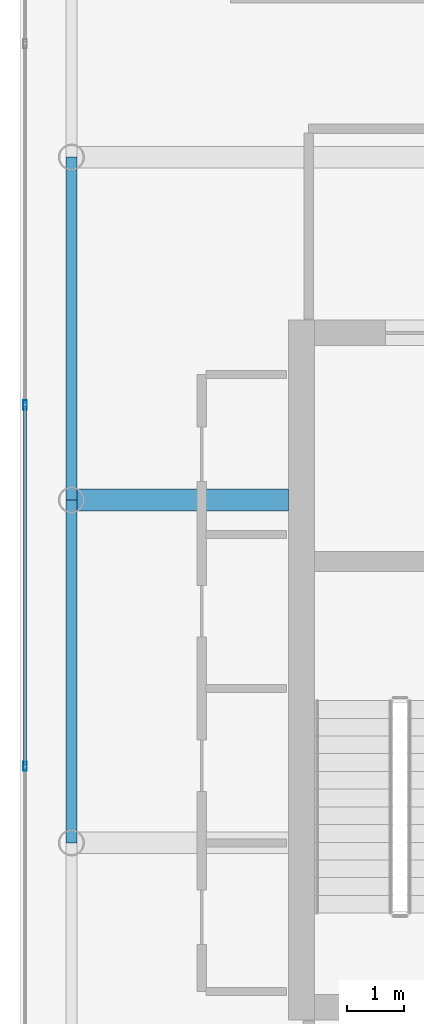
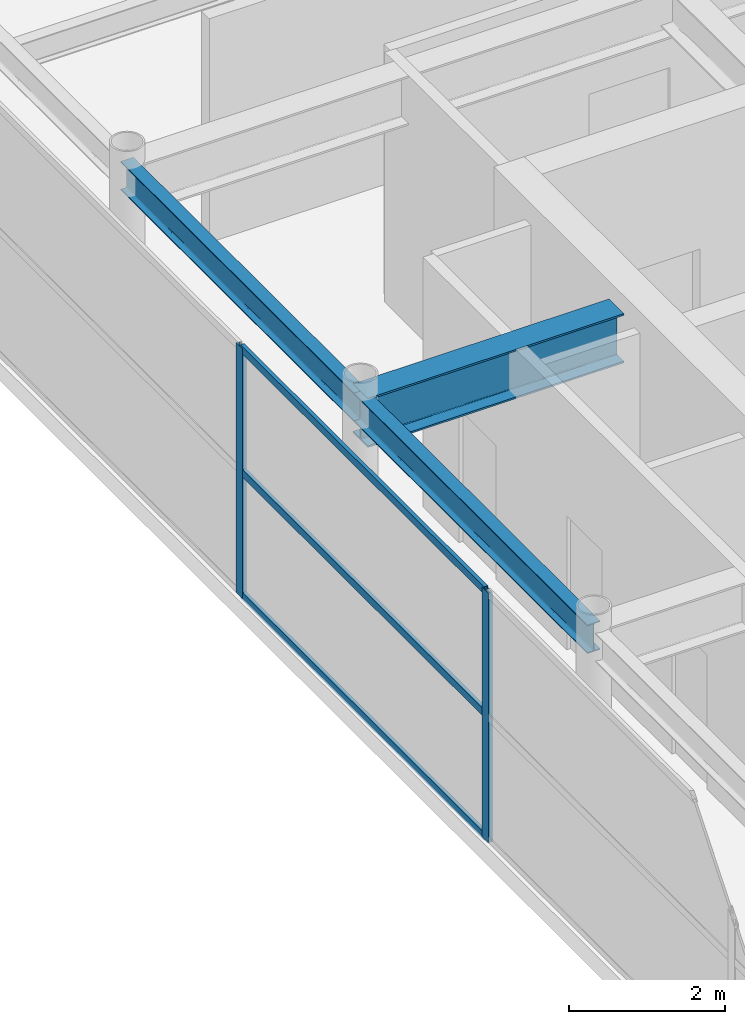
# One storey, part 11 of 33: 5 members, 3 beams, 1 element without a shape of its own.
"""IFC4 building model written with IfcOpenShell, lengths in metres."""

from ifc_helpers import new_model, si_unit, direction, frame, origin, origin_2d, place, context, subcontext, project, spatial, hollow_rectangle, i_section, extrude, source, transform, mapped, material, layer, layer_set, material_profile, profile_set, type_object, element, aggregate, save


model = new_model("IFC4")

# Units and contexts
model_context = context("Model", 3, precision=1e-05, world=origin(), true_north=direction((0.0, 1.0)))
body_context = subcontext(model_context, "Body", "Model", "MODEL_VIEW")
ifc_project = project(units=[si_unit("LENGTHUNIT", "METRE"), si_unit("AREAUNIT", "SQUARE_METRE"), si_unit("VOLUMEUNIT", "CUBIC_METRE"), si_unit("PLANEANGLEUNIT", "RADIAN"), si_unit("MASSUNIT", "GRAM", prefix="KILO")], contexts=[model_context])

# Site, building, storey
site_placement = place(None, origin())
site = spatial("IfcSite", under=ifc_project, at=site_placement, CompositionType="ELEMENT")
building_placement = place(site_placement, origin())
building = spatial("IfcBuilding", under=site, at=building_placement, Name="Khoralis Quay Care Tower", CompositionType="ELEMENT")
storey_placement = place(building_placement, frame((0.0, 0.0, 302.10009765625)))
storey = spatial("IfcBuildingStorey", under=building, at=storey_placement, Name="L79", CompositionType="ELEMENT", Elevation=302.10009765625)

# Beams
ifc_material_1 = material(Name="Steel S355", Category="steel")
ifc_material_profile_1 = material_profile(ifc_material_1, i_section(OverallWidth=0.18994140625, OverallDepth=0.449951171875, WebThickness=0.009521484375, FlangeThickness=0.0146484375, FilletRadius=0.02099609375, at=origin_2d()), Name="Steel S355")
ifc_profile_set_1 = profile_set([ifc_material_profile_1], Name="Steel S355")
beam_type_1 = type_object("IfcBeamType", Name="BM-IPE450", PredefinedType="SPANDREL", material=ifc_profile_set_1)
shared_shape_1 = source(origin(), body_context, "Body", "SweptSolid", [
    extrude(i_section(OverallWidth=0.18994140625, OverallDepth=0.449951171875, WebThickness=0.009521484375, FlangeThickness=0.0146484375, FilletRadius=0.02099609375, at=origin_2d()), origin(), (0.0, 0.0, 1.0), 6.0),
])
for number, where, z_axis, x_axis, name in (
    (1, (3.89990234375, 18.0, 3.69482421875), (0.0, 1.0, 0.0), (-1.0, 0.0, 0.0), "BM-TSP-L79-10"),
    (2, (3.89990234375, 24.0, 3.69482421875), (0.0, 1.0, 0.0), (-1.0, 0.0, 0.0), "BM-TSP-L79-11"),
):
    element("IfcBeam", number, at=place(storey_placement, frame(where, z_axis=z_axis, x_axis=x_axis)), inside=storey, type_object=beam_type_1, Name=name, PredefinedType="SPANDREL", context=body_context, shape_type="MappedRepresentation", body=[
        mapped(shared_shape_1, transform((0.0, 0.0, 0.0), scale=1.0)),
    ])
ifc_material_profile_2 = material_profile(ifc_material_1, i_section(OverallWidth=0.381103515625, OverallDepth=0.77294921875, WebThickness=0.0166015625, FlangeThickness=0.027587890625, FilletRadius=0.02197265625, at=origin_2d()), Name="Steel S355")
ifc_profile_set_2 = profile_set([ifc_material_profile_2], Name="Steel S355")
beam_type_2 = type_object("IfcBeamType", Name="BM-W760X257", PredefinedType="BEAM", material=ifc_profile_set_2)
shared_shape_2 = source(origin(), body_context, "Body", "SweptSolid", [
    extrude(i_section(OverallWidth=0.381103515625, OverallDepth=0.77294921875, WebThickness=0.0166015625, FlangeThickness=0.027587890625, FilletRadius=0.02197265625, at=origin_2d()), origin(), (0.0, 0.0, 1.0), 3.802001953125),
])
beam_placement = place(storey_placement, frame((3.89990234375, 24.0, 3.533447265625), z_axis=(1.0, 0.0, 0.0), x_axis=(0.0, 1.0, 0.0)))
element("IfcBeam", 3, at=beam_placement, inside=storey, type_object=beam_type_2, Name="BM-TGXW-L79-240", PredefinedType="BEAM", context=body_context, shape_type="MappedRepresentation", body=[
    mapped(shared_shape_2, transform((0.0, 0.0, 0.0), scale=1.0)),
])

# Curtain wall, members
ifc_material_2 = material(Name="Pale anodised aluminium", Category="aluminium")
ifc_layer = layer(ifc_material_2, 0.199951171875)
ifc_layer_set = layer_set([ifc_layer], Name="Pale anodised aluminium")
curtain_wall_type = type_object("IfcCurtainWallType", Name="CW-SYS-LANTERN", PredefinedType="NOTDEFINED", material=ifc_layer_set)
curtain_wall_placement = place(storey_placement, origin())
curtain_wall = element("IfcCurtainWall", 4, at=curtain_wall_placement, inside=storey, type_object=curtain_wall_type, Name="L79 Unitised Curtain Wall CW-LN-L79-16", PredefinedType="NOTDEFINED")
ifc_material_profile_3 = material_profile(ifc_material_2, hollow_rectangle(XDim=0.054931640625, YDim=0.1201171875, WallThickness=0.00390625, at=origin_2d()), Name="Pale anodised aluminium")
ifc_profile_set_3 = profile_set([ifc_material_profile_3], Name="Pale anodised aluminium")
member_type_1 = type_object("IfcMemberType", Name="CW-TRN-120", PredefinedType="USERDEFINED", material=ifc_profile_set_3)
shared_shape_3 = source(origin(), body_context, "Body", "SweptSolid", [
    extrude(hollow_rectangle(XDim=0.054931640625, YDim=0.1201171875, WallThickness=0.00390625, at=origin_2d()), origin(), (0.0, 0.0, 1.0), 6.26416015625),
])
member_1_placement = place(storey_placement, frame((3.090087890625, 25.632080078125, 0.02978515625), z_axis=(0.0, -1.0, 0.0), x_axis=(1.0, 0.0, 0.0)))
member_1 = element("IfcMember", 5, at=member_1_placement, type_object=member_type_1, Name="CW5 transom 3.1", ObjectType="TRANSOM", PredefinedType="USERDEFINED", context=body_context, shape_type="MappedRepresentation", body=[
    mapped(shared_shape_3, transform((0.0, 0.0, 0.0), scale=1.0)),
])
member_2_placement = place(storey_placement, frame((3.090087890625, 25.632080078125, 1.9599609375), z_axis=(0.0, -1.0, 0.0), x_axis=(1.0, 0.0, 0.0)))
member_2 = element("IfcMember", 6, at=member_2_placement, type_object=member_type_1, Name="CW5 transom 3.2", ObjectType="TRANSOM", PredefinedType="USERDEFINED", context=body_context, shape_type="MappedRepresentation", body=[
    mapped(shared_shape_3, transform((0.0, 0.0, 0.0), scale=1.0)),
])
member_3_placement = place(storey_placement, frame((3.090087890625, 25.632080078125, 3.889892578125), z_axis=(0.0, -1.0, 0.0), x_axis=(1.0, 0.0, 0.0)))
member_3 = element("IfcMember", 7, at=member_3_placement, type_object=member_type_1, Name="CW5 transom 3.3", ObjectType="TRANSOM", PredefinedType="USERDEFINED", context=body_context, shape_type="MappedRepresentation", body=[
    mapped(shared_shape_3, transform((0.0, 0.0, 0.0), scale=1.0)),
])
ifc_material_profile_4 = material_profile(ifc_material_2, hollow_rectangle(XDim=0.06005859375, YDim=0.159912109375, WallThickness=0.00390625, at=origin_2d()), Name="Pale anodised aluminium")
ifc_profile_set_4 = profile_set([ifc_material_profile_4], Name="Pale anodised aluminium")
member_type_2 = type_object("IfcMemberType", Name="CW-MUL-160", PredefinedType="MULLION", material=ifc_profile_set_4)
shared_shape_4 = source(origin(), body_context, "Body", "SweptSolid", [
    extrude(hollow_rectangle(XDim=0.06005859375, YDim=0.159912109375, WallThickness=0.00390625, at=origin_2d()), origin(), (0.0, 0.0, 1.0), 3.919921875),
])
member_4_placement = place(storey_placement, frame((3.090087890625, 25.662109375, 0.0), z_axis=(0.0, 0.0, 1.0), x_axis=(1.0, 0.0, 0.0)))
member_4 = element("IfcMember", 8, at=member_4_placement, type_object=member_type_2, Name="CW5 mullion 3", PredefinedType="MULLION", context=body_context, shape_type="MappedRepresentation", body=[
    mapped(shared_shape_4, transform((0.0, 0.0, 0.0), scale=1.0)),
])
member_5_placement = place(storey_placement, frame((3.090087890625, 19.337890625, 0.0), z_axis=(0.0, 0.0, 1.0), x_axis=(1.0, 0.0, 0.0)))
member_5 = element("IfcMember", 9, at=member_5_placement, type_object=member_type_2, Name="CW5 mullion 4", PredefinedType="MULLION", context=body_context, shape_type="MappedRepresentation", body=[
    mapped(shared_shape_4, transform((0.0, 0.0, 0.0), scale=1.0)),
])
aggregate(curtain_wall, [member_4, member_5, member_1, member_2, member_3])

save(model, "model.ifc")
